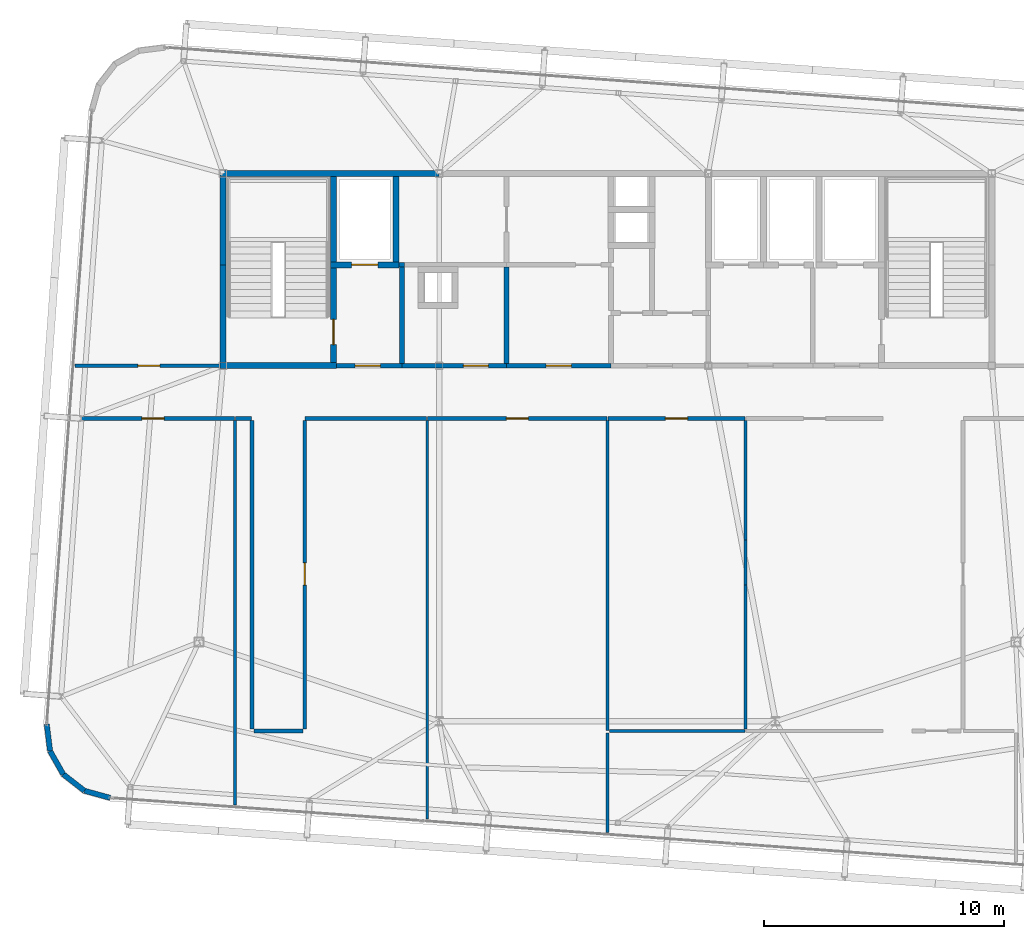
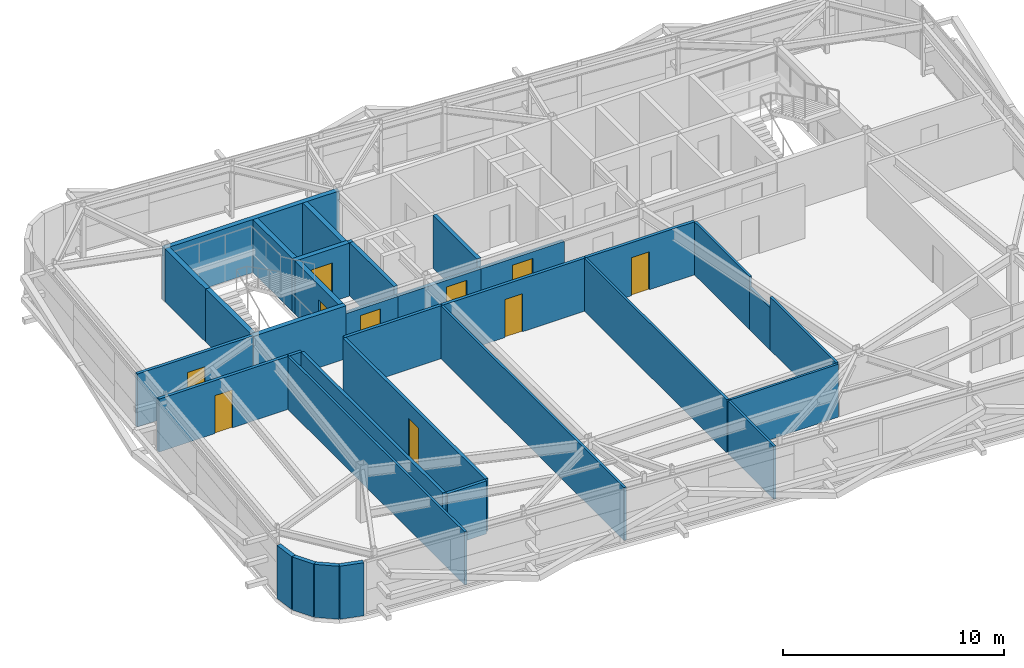
# One storey, part 31 of 34: 35 walls, 10 doors, 10 openings.
"""IFC4 building model written with IfcOpenShell, lengths in metres."""

from ifc_helpers import new_model, si_unit, direction, frame, frame_2d, origin, place, context, subcontext, project, spatial, rectangle, extrude, source, transform, mapped, material, layer, layer_set, type_object, element, fill, save


model = new_model("IFC4")

# Units and contexts
model_context = context("Model", 3, precision=1e-05, world=origin(), true_north=direction((0.0, 1.0)))
body_context = subcontext(model_context, "Body", "Model", "MODEL_VIEW")
ifc_project = project(units=[si_unit("LENGTHUNIT", "METRE"), si_unit("AREAUNIT", "SQUARE_METRE"), si_unit("VOLUMEUNIT", "CUBIC_METRE"), si_unit("PLANEANGLEUNIT", "RADIAN"), si_unit("MASSUNIT", "GRAM", prefix="KILO")], contexts=[model_context])

# Site, building, storey
site_placement = place(None, origin())
site = spatial("IfcSite", under=ifc_project, at=site_placement, CompositionType="ELEMENT")
building_placement = place(site_placement, origin())
building = spatial("IfcBuilding", under=site, at=building_placement, Name="Taldren Reach Tower", CompositionType="ELEMENT")
storey_placement = place(building_placement, frame((0.0, 0.0, 246.050048828125)))
storey = spatial("IfcBuildingStorey", under=building, at=storey_placement, Name="L75", CompositionType="ELEMENT", Elevation=246.050048828125)

# Walls
ifc_material_1 = material(Name="Pale Champagne Anodised Aluminium Cladding", Category="aluminium")
ifc_layer_1 = layer(ifc_material_1, 0.04, Name="Pale Champagne Anodised Aluminium Cladding", Category="aluminium")
ifc_material_2 = material(Name="Mineral Wool Acoustic Insulation", Category="insulation")
ifc_layer_2 = layer(ifc_material_2, 0.06, Name="Mineral Wool Acoustic Insulation", Category="insulation")
ifc_material_3 = material(Name="Steel Gr 350 (C350L0)", Category="steel")
ifc_layer_3 = layer(ifc_material_3, 0.12, Name="Steel Gr 350 (C350L0)", Category="steel")
ifc_layer_set_1 = layer_set([ifc_layer_1, ifc_layer_2, ifc_layer_3], Name="Pale Champagne Aluminium Cladding and Steel Gr 350 Stud Framing")
wall_type_1 = type_object("IfcWallType", Name="EW-CRN-220", PredefinedType="SOLIDWALL", material=ifc_layer_set_1)
shared_shape_1 = source(origin(), body_context, "Body", "SweptSolid", [
    extrude(rectangle(XDim=1.115966796875, YDim=0.219970703125, at=frame_2d((0.55810546875, 0.0))), origin(), (0.0, 0.0, 1.0), 2.929931640625),
])
for number, where, z_axis, x_axis, name in (
    (1, (11.66259765625, 9.072021484375, 0.0), (0.0, 0.0, 1.0), (0.122742076028, -0.992438604032, 0.0), "Rounded-corner pale-metal facade wall L75-SW1"),
    (2, (11.799560546875, 7.964599609375, 0.0), (0.0, 0.0, 1.0), (0.493073284892, -0.869987779067, 0.0), "Rounded-corner pale-metal facade wall L75-SW2"),
    (3, (12.349853515625, 6.99365234375, 0.0), (0.0, 0.0, 1.0), (0.788597772321, -0.614909386406, 0.0), "Rounded-corner pale-metal facade wall L75-SW3"),
):
    element("IfcWall", number, at=place(storey_placement, frame(where, z_axis=z_axis, x_axis=x_axis)), inside=storey, type_object=wall_type_1, Name=name, PredefinedType="SOLIDWALL", context=body_context, shape_type="MappedRepresentation", body=[
        mapped(shared_shape_1, transform((0.0, 0.0, 0.0), scale=1.0)),
    ])
shared_shape_2 = source(origin(), body_context, "Body", "SweptSolid", [
    extrude(rectangle(XDim=1.11572265625, YDim=0.219970703125, at=frame_2d((0.557861328125, 0.0))), origin(), (0.0, 0.0, 1.0), 2.929931640625),
])
wall_1_placement = place(storey_placement, frame((13.22998046875, 6.307373046875, 0.0), z_axis=(0.0, 0.0, 1.0), x_axis=(0.963890028874, -0.266300605026, 0.0)))
element("IfcWall", 4, at=wall_1_placement, inside=storey, type_object=wall_type_1, Name="Rounded-corner pale-metal facade wall L75-SW4", PredefinedType="SOLIDWALL", context=body_context, shape_type="MappedRepresentation", body=[
    mapped(shared_shape_2, transform((0.0, 0.0, 0.0), scale=1.0)),
])

# Wall, opening, door
ifc_material_4 = material(Name="Concrete S50 (50 MPa)", Category="concrete")
ifc_layer_4 = layer(ifc_material_4, 0.199951171875)
ifc_layer_set_2 = layer_set([ifc_layer_4], Name="Concrete S50 (50 MPa)")
wall_type_2 = type_object("IfcWallType", Name="IW-CORE-200", PredefinedType="SOLIDWALL", material=ifc_layer_set_2)
shared_shape_3 = source(origin(), body_context, "Body", "SweptSolid", [
    extrude(rectangle(XDim=4.35009765625, YDim=0.199951171875, at=frame_2d((2.175048828125, 0.0))), origin(), (0.0, 0.0, 1.0), 2.469970703125),
])
wall_2_placement = place(storey_placement, frame((30.800048828125, 24.0, 0.0), z_axis=(0.0, 0.0, 1.0), x_axis=(-1.0, 0.0, 0.0)))
wall_2 = element("IfcWall", 5, at=wall_2_placement, inside=storey, type_object=wall_type_2, Name="Rear Core Shear Wall W-INT-L75-034", PredefinedType="SOLIDWALL", context=body_context, shape_type="MappedRepresentation", body=[
    mapped(shared_shape_3, transform((0.0, 0.0, 0.0), scale=1.0)),
])
shared_shape_4 = source(origin(), body_context, "Body", "SweptSolid", [
    extrude(rectangle(XDim=1.050048828125, YDim=2.10009765625, at=frame_2d((0.52490234375, 1.050048828125))), frame((0.0, 0.10986328125, 0.0), z_axis=(0.0, -1.0, 0.0), x_axis=(1.0, 0.0, 0.0)), (0.0, 0.0, 1.0), 0.219970703125),
])
opening_1_placement = place(wall_2_placement, frame((0.75, 0.0, 0.0)))
opening_1 = element("IfcOpeningElement", 6, at=opening_1_placement, cuts=wall_2, Name="Opening DF-105", PredefinedType="OPENING", context=body_context, shape_type="MappedRepresentation", body=[
    mapped(shared_shape_4, transform((0.0, 0.0, 0.0), scale=1.0)),
])
ifc_material_5 = material(Name="Fire-Rated Care and Stair Exit Door")
door_type_1 = type_object("IfcDoorType", Name="ID-FIRE-105", OperationType="NOTDEFINED", PredefinedType="DOOR", material=ifc_material_5)
shared_shape_5 = source(origin(), body_context, "Body", "SweptSolid", [
    extrude(rectangle(XDim=1.050048828125, YDim=2.10009765625, at=frame_2d((0.52490234375, 1.050048828125))), frame((0.0, 0.02490234375, 0.0), z_axis=(0.0, -1.0, 0.0), x_axis=(1.0, 0.0, 0.0)), (0.0, 0.0, 1.0), 0.050048828125),
])
door_1_placement = place(opening_1_placement, frame((1.050048828125, 0.0, 0.0), z_axis=(0.0, 0.0, 1.0), x_axis=(-1.0, 0.0, 0.0)))
door_1 = element("IfcDoor", 7, at=door_1_placement, inside=storey, type_object=door_type_1, Name="Interior Door DR-L75-006", OperationType="SINGLE_SWING_RIGHT", OverallHeight=2.10009765625, OverallWidth=1.050048828125, PredefinedType="DOOR", context=body_context, shape_type="MappedRepresentation", body=[
    mapped(shared_shape_5, transform((0.0, 0.0, 0.0), scale=1.0)),
])
fill(opening_1, door_1)

# Wall
ifc_material_6 = material(Name="Fire-Rated Acoustic Plasterboard Stud Wall", Category="gypsum")
ifc_layer_5 = layer(ifc_material_6, 0.159912109375)
ifc_layer_set_3 = layer_set([ifc_layer_5], Name="Fire-Rated Acoustic Plasterboard Stud Wall")
wall_type_3 = type_object("IfcWallType", Name="IW-FIRE-160", PredefinedType="PARTITIONING", material=ifc_layer_set_3)
shared_shape_6 = source(origin(), body_context, "Body", "SweptSolid", [
    extrude(rectangle(XDim=2.0400390625, YDim=0.159912109375, at=frame_2d((1.02001953125, 0.0))), origin(), (0.0, 0.0, 1.0), 2.929931640625),
])
wall_3_placement = place(storey_placement, frame((22.320068359375, 8.800048828125, 0.0), z_axis=(0.0, 0.0, 1.0), x_axis=(-1.0, 0.0, 0.0)))
element("IfcWall", 8, at=wall_3_placement, inside=storey, type_object=wall_type_3, Name="Interior Partition Wall W-INT-L75-051", PredefinedType="PARTITIONING", context=body_context, shape_type="MappedRepresentation", body=[
    mapped(shared_shape_6, transform((0.0, 0.0, 0.0), scale=1.0)),
])

# Wall, opening, door
shared_shape_7 = source(origin(), body_context, "Body", "SweptSolid", [
    extrude(rectangle(XDim=4.349853515625, YDim=0.199951171875, at=frame_2d((2.1748046875, 0.0))), origin(), (0.0, 0.0, 1.0), 2.469970703125),
])
wall_4_placement = place(storey_placement, frame((35.14990234375, 24.0, 0.0), z_axis=(0.0, 0.0, 1.0), x_axis=(-1.0, 0.0, 0.0)))
wall_4 = element("IfcWall", 9, at=wall_4_placement, inside=storey, type_object=wall_type_2, Name="Rear Core Shear Wall W-INT-L75-039", PredefinedType="SOLIDWALL", context=body_context, shape_type="MappedRepresentation", body=[
    mapped(shared_shape_7, transform((0.0, 0.0, 0.0), scale=1.0)),
])
opening_2_placement = place(wall_4_placement, frame((1.64990234375, 0.0, 0.0)))
opening_2 = element("IfcOpeningElement", 10, at=opening_2_placement, cuts=wall_4, Name="Opening DF-105", PredefinedType="OPENING", context=body_context, shape_type="MappedRepresentation", body=[
    mapped(shared_shape_4, transform((0.0, 0.0, 0.0), scale=1.0)),
])
door_2_placement = place(opening_2_placement, frame((1.050048828125, 0.0, 0.0), z_axis=(0.0, 0.0, 1.0), x_axis=(-1.0, 0.0, 0.0)))
door_2 = element("IfcDoor", 11, at=door_2_placement, inside=storey, type_object=door_type_1, Name="Interior Door DR-L75-009", OperationType="SINGLE_SWING_LEFT", OverallHeight=2.10009765625, OverallWidth=1.050048828125, PredefinedType="DOOR", context=body_context, shape_type="MappedRepresentation", body=[
    mapped(shared_shape_5, transform((0.0, 0.0, 0.0), scale=1.0)),
])
fill(opening_2, door_2)

# Walls
shared_shape_8 = source(origin(), body_context, "Body", "SweptSolid", [
    extrude(rectangle(XDim=5.0595703125, YDim=0.159912109375, at=frame_2d((2.52978515625, 0.0))), origin(), (0.0, 0.0, 1.0), 2.929931640625),
])
wall_5_placement = place(storey_placement, frame((27.479736328125, 21.800048828125, 0.0), z_axis=(0.0, 0.0, 1.0), x_axis=(-1.0, 0.0, 0.0)))
element("IfcWall", 12, at=wall_5_placement, inside=storey, type_object=wall_type_3, Name="Interior Partition Wall W-INT-L75-050", PredefinedType="PARTITIONING", context=body_context, shape_type="MappedRepresentation", body=[
    mapped(shared_shape_8, transform((0.0, 0.0, 0.0), scale=1.0)),
])
shared_shape_9 = source(origin(), body_context, "Body", "SweptSolid", [
    extrude(rectangle(XDim=4.0, YDim=0.199951171875, at=frame_2d((2.0, 0.0))), origin(), (0.0, 0.0, 1.0), 2.929931640625),
])
for number, where, z_axis, x_axis, name in (
    (13, (26.449951171875, 24.10009765625, 0.0), (0.0, 0.0, 1.0), (0.0, 1.0, 0.0), "Rear Core Shear Wall W-INT-L75-006"),
    (14, (30.800048828125, 28.10009765625, 0.0), (0.0, 0.0, 1.0), (0.0, -1.0, 0.0), "Rear Core Shear Wall W-INT-L75-033"),
):
    element("IfcWall", number, at=place(storey_placement, frame(where, z_axis=z_axis, x_axis=x_axis)), inside=storey, type_object=wall_type_2, Name=name, PredefinedType="SOLIDWALL", context=body_context, shape_type="MappedRepresentation", body=[
        mapped(shared_shape_9, transform((0.0, 0.0, 0.0), scale=1.0)),
    ])

# Wall, opening, door
shared_shape_10 = source(origin(), body_context, "Body", "SweptSolid", [
    extrude(rectangle(XDim=7.45947265625, YDim=0.159912109375, at=frame_2d((3.729736328125, 0.0))), origin(), (0.0, 0.0, 1.0), 2.929931640625),
])
wall_6_placement = place(storey_placement, frame((34.979736328125, 21.800048828125, 0.0), z_axis=(0.0, 0.0, 1.0), x_axis=(-1.0, 0.0, 0.0)))
wall_6 = element("IfcWall", 15, at=wall_6_placement, inside=storey, type_object=wall_type_3, Name="Interior Partition Wall W-INT-L75-053", PredefinedType="PARTITIONING", context=body_context, shape_type="MappedRepresentation", body=[
    mapped(shared_shape_10, transform((0.0, 0.0, 0.0), scale=1.0)),
])
shared_shape_11 = source(origin(), body_context, "Body", "SweptSolid", [
    extrude(rectangle(XDim=0.919921875, YDim=2.10009765625, at=frame_2d((0.4599609375, 1.050048828125))), frame((0.0, 0.08984375, 0.0), z_axis=(0.0, -1.0, 0.0), x_axis=(1.0, 0.0, 0.0)), (0.0, 0.0, 1.0), 0.179931640625),
])
opening_3_placement = place(wall_6_placement, frame((3.269775390625, 0.0, 0.0)))
opening_3 = element("IfcOpeningElement", 16, at=opening_3_placement, cuts=wall_6, Name="Opening DI-092", PredefinedType="OPENING", context=body_context, shape_type="MappedRepresentation", body=[
    mapped(shared_shape_11, transform((0.0, 0.0, 0.0), scale=1.0)),
])
ifc_material_7 = material(Name="Solid-Core Timber Suite Door", Category="wood")
door_type_2 = type_object("IfcDoorType", Name="ID-INT-092", OperationType="NOTDEFINED", PredefinedType="DOOR", material=ifc_material_7)
shared_shape_12 = source(origin(), body_context, "Body", "SweptSolid", [
    extrude(rectangle(XDim=0.919921875, YDim=2.10009765625, at=frame_2d((0.4599609375, 1.050048828125))), frame((0.0, 0.02490234375, 0.0), z_axis=(0.0, -1.0, 0.0), x_axis=(1.0, 0.0, 0.0)), (0.0, 0.0, 1.0), 0.050048828125),
])
door_3_placement = place(opening_3_placement, origin())
door_3 = element("IfcDoor", 17, at=door_3_placement, inside=storey, type_object=door_type_2, Name="Interior Door DR-L75-017", OperationType="SINGLE_SWING_RIGHT", OverallHeight=2.10009765625, OverallWidth=0.919921875, PredefinedType="DOOR", context=body_context, shape_type="MappedRepresentation", body=[
    mapped(shared_shape_12, transform((0.0, 0.0, 0.0), scale=1.0)),
])
fill(opening_3, door_3)

# Walls
ifc_material_8 = material(Name="Insulated Residential Stud Partition", Category="gypsum")
ifc_layer_6 = layer(ifc_material_8, 0.1201171875)
ifc_layer_set_4 = layer_set([ifc_layer_6], Name="Insulated Residential Stud Partition")
wall_type_4 = type_object("IfcWallType", Name="IW-PART-120", PredefinedType="PARTITIONING", material=ifc_layer_set_4)
shared_shape_13 = source(origin(), body_context, "Body", "SweptSolid", [
    extrude(rectangle(XDim=4.982421875, YDim=0.1201171875, at=frame_2d((2.4912109375, 0.0))), origin(), (0.0, 0.0, 1.0), 2.929931640625),
])
wall_7_placement = place(storey_placement, frame((40.75, 21.719970703125, 0.0), z_axis=(0.0, 0.0, 1.0), x_axis=(0.0, -1.0, 0.0)))
element("IfcWall", 18, at=wall_7_placement, inside=storey, type_object=wall_type_4, Name="Interior Partition Wall W-INT-L75-067", PredefinedType="PARTITIONING", context=body_context, shape_type="MappedRepresentation", body=[
    mapped(shared_shape_13, transform((0.0, 0.0, 0.0), scale=1.0)),
])
shared_shape_14 = source(origin(), body_context, "Body", "SweptSolid", [
    extrude(rectangle(XDim=1.86083984375, YDim=0.1201171875, at=frame_2d((0.930419921875, 0.0))), origin(), (0.0, 0.0, 1.0), 2.327880859375),
])
wall_8_placement = place(storey_placement, frame((40.75, 16.737548828125, 0.0), z_axis=(0.0, 0.0, 1.0), x_axis=(0.0, -1.0, 0.0)))
element("IfcWall", 19, at=wall_8_placement, inside=storey, type_object=wall_type_4, Name="Interior Partition Wall W-INT-L75-067 part 2", PredefinedType="PARTITIONING", context=body_context, shape_type="MappedRepresentation", body=[
    mapped(shared_shape_14, transform((0.0, 0.0, 0.0), scale=1.0)),
])
ifc_material_9 = material(Name="Concrete S65 (65 MPa)", Category="concrete")
ifc_layer_7 = layer(ifc_material_9, 0.25)
ifc_layer_set_5 = layer_set([ifc_layer_7], Name="Concrete S65 (65 MPa)")
wall_type_5 = type_object("IfcWallType", Name="IW-CORE-250", PredefinedType="SHEAR", material=ifc_layer_set_5)
shared_shape_15 = source(origin(), body_context, "Body", "SweptSolid", [
    extrude(rectangle(XDim=9.125, YDim=0.25, at=frame_2d((4.5625, 0.0))), origin(), (0.0, 0.0, 1.0), 2.929931640625),
])
wall_9_placement = place(storey_placement, frame((18.875, 32.0, 0.0), z_axis=(0.0, 0.0, 1.0), x_axis=(1.0, 0.0, 0.0)))
element("IfcWall", 20, at=wall_9_placement, inside=storey, type_object=wall_type_5, Name="Rear Core Shear Wall W-CORE-L75-NORTH1", PredefinedType="SHEAR", context=body_context, shape_type="MappedRepresentation", body=[
    mapped(shared_shape_15, transform((0.0, 0.0, 0.0), scale=1.0)),
])
shared_shape_16 = source(origin(), body_context, "Body", "SweptSolid", [
    extrude(rectangle(XDim=4.074951171875, YDim=0.25, at=frame_2d((2.03759765625, 0.0))), origin(), (0.0, 0.0, 1.0), 2.929931640625),
])
wall_10_placement = place(storey_placement, frame((19.0, 24.125, 0.0), z_axis=(0.0, 0.0, 1.0), x_axis=(0.0, 1.0, 0.0)))
element("IfcWall", 21, at=wall_10_placement, inside=storey, type_object=wall_type_5, Name="Rear Core Shear Wall W-CORE-L75-WEST1", PredefinedType="SHEAR", context=body_context, shape_type="MappedRepresentation", body=[
    mapped(shared_shape_16, transform((0.0, 0.0, 0.0), scale=1.0)),
])
shared_shape_17 = source(origin(), body_context, "Body", "SweptSolid", [
    extrude(rectangle(XDim=3.675048828125, YDim=0.25, at=frame_2d((1.83740234375, 0.0))), origin(), (0.0, 0.0, 1.0), 2.929931640625),
])
wall_11_placement = place(storey_placement, frame((19.0, 28.199951171875, 0.0), z_axis=(0.0, 0.0, 1.0), x_axis=(0.0, 1.0, 0.0)))
element("IfcWall", 22, at=wall_11_placement, inside=storey, type_object=wall_type_5, Name="Rear Core Shear Wall W-CORE-L75-WEST2", PredefinedType="SHEAR", context=body_context, shape_type="MappedRepresentation", body=[
    mapped(shared_shape_17, transform((0.0, 0.0, 0.0), scale=1.0)),
])
shared_shape_18 = source(origin(), body_context, "Body", "SweptSolid", [
    extrude(rectangle(XDim=3.550048828125, YDim=0.25, at=frame_2d((1.77490234375, 0.0))), origin(), (0.0, 0.0, 1.0), 2.929931640625),
])
for number, where, z_axis, x_axis, name in (
    (23, (23.60009765625, 28.324951171875, 0.0), (0.0, 0.0, 1.0), (0.0, 1.0, 0.0), "Rear Core Shear Wall W-INT-L75-001"),
    (24, (26.199951171875, 28.324951171875, 0.0), (0.0, 0.0, 1.0), (0.0, 1.0, 0.0), "Rear Core Shear Wall W-INT-L75-005"),
):
    element("IfcWall", number, at=place(storey_placement, frame(where, z_axis=z_axis, x_axis=x_axis)), inside=storey, type_object=wall_type_5, Name=name, PredefinedType="SHEAR", context=body_context, shape_type="MappedRepresentation", body=[
        mapped(shared_shape_18, transform((0.0, 0.0, 0.0), scale=1.0)),
    ])

# Wall, opening, door
shared_shape_19 = source(origin(), body_context, "Body", "SweptSolid", [
    extrude(rectangle(XDim=3.949951171875, YDim=0.25, at=frame_2d((1.97509765625, 0.0))), origin(), (0.0, 0.0, 1.0), 2.929931640625),
])
wall_12_placement = place(storey_placement, frame((23.60009765625, 24.125, 0.0), z_axis=(0.0, 0.0, 1.0), x_axis=(0.0, 1.0, 0.0)))
wall_12 = element("IfcWall", 25, at=wall_12_placement, inside=storey, type_object=wall_type_5, Name="Rear Core Shear Wall W-INT-L75-002", PredefinedType="SHEAR", context=body_context, shape_type="MappedRepresentation", body=[
    mapped(shared_shape_19, transform((0.0, 0.0, 0.0), scale=1.0)),
])
shared_shape_20 = source(origin(), body_context, "Body", "SweptSolid", [
    extrude(rectangle(XDim=1.050048828125, YDim=2.10009765625, at=frame_2d((0.52490234375, 1.050048828125))), frame((0.0, 0.135009765625, 0.0), z_axis=(0.0, -1.0, 0.0), x_axis=(1.0, 0.0, 0.0)), (0.0, 0.0, 1.0), 0.27001953125),
])
opening_4_placement = place(wall_12_placement, frame((0.75, 0.0, 0.0)))
opening_4 = element("IfcOpeningElement", 26, at=opening_4_placement, cuts=wall_12, Name="Opening DF-105", PredefinedType="OPENING", context=body_context, shape_type="MappedRepresentation", body=[
    mapped(shared_shape_20, transform((0.0, 0.0, 0.0), scale=1.0)),
])
door_4_placement = place(opening_4_placement, origin())
door_4 = element("IfcDoor", 27, at=door_4_placement, inside=storey, type_object=door_type_1, Name="Fire Exit Stair Door DR-L75-001", OperationType="SINGLE_SWING_LEFT", OverallHeight=2.10009765625, OverallWidth=1.050048828125, PredefinedType="DOOR", context=body_context, shape_type="MappedRepresentation", body=[
    mapped(shared_shape_5, transform((0.0, 0.0, 0.0), scale=1.0)),
])
fill(opening_4, door_4)

# Wall
shared_shape_21 = source(origin(), body_context, "Body", "SweptSolid", [
    extrude(rectangle(XDim=4.85009765625, YDim=0.25, at=frame_2d((2.425048828125, 0.0))), origin(), (0.0, 0.0, 1.0), 2.929931640625),
])
wall_13_placement = place(storey_placement, frame((18.875, 24.0, 0.0), z_axis=(0.0, 0.0, 1.0), x_axis=(1.0, 0.0, 0.0)))
element("IfcWall", 28, at=wall_13_placement, inside=storey, type_object=wall_type_5, Name="Rear Core Shear Wall W-INT-L75-003", PredefinedType="SHEAR", context=body_context, shape_type="MappedRepresentation", body=[
    mapped(shared_shape_21, transform((0.0, 0.0, 0.0), scale=1.0)),
])

# Wall, opening, door
shared_shape_22 = source(origin(), body_context, "Body", "SweptSolid", [
    extrude(rectangle(XDim=2.849853515625, YDim=0.25, at=frame_2d((1.4248046875, 0.0))), origin(), (0.0, 0.0, 1.0), 2.929931640625),
])
wall_14_placement = place(storey_placement, frame((23.47509765625, 28.199951171875, 0.0), z_axis=(0.0, 0.0, 1.0), x_axis=(1.0, 0.0, 0.0)))
wall_14 = element("IfcWall", 29, at=wall_14_placement, inside=storey, type_object=wall_type_5, Name="Rear Core Shear Wall W-INT-L75-004", PredefinedType="SHEAR", context=body_context, shape_type="MappedRepresentation", body=[
    mapped(shared_shape_22, transform((0.0, 0.0, 0.0), scale=1.0)),
])
shared_shape_23 = source(origin(), body_context, "Body", "SweptSolid", [
    extrude(rectangle(XDim=1.10009765625, YDim=2.14990234375, at=frame_2d((0.550048828125, 1.074951171875))), frame((0.0, 0.135009765625, 0.0), z_axis=(0.0, -1.0, 0.0), x_axis=(1.0, 0.0, 0.0)), (0.0, 0.0, 1.0), 0.27001953125),
])
opening_5_placement = place(wall_14_placement, frame((0.875, 0.0, 0.0)))
opening_5 = element("IfcOpeningElement", 30, at=opening_5_placement, cuts=wall_14, Name="Opening LD-FL1", PredefinedType="OPENING", context=body_context, shape_type="MappedRepresentation", body=[
    mapped(shared_shape_23, transform((0.0, 0.0, 0.0), scale=1.0)),
])
ifc_material_10 = material(Name="Stainless Steel Gr 316 Emergency Lift Landing Door", Category="steel")
door_type_3 = type_object("IfcDoorType", Name="LD-EMG-110", OperationType="SLIDING_TO_LEFT", PredefinedType="DOOR", material=ifc_material_10)
shared_shape_24 = source(origin(), body_context, "Body", "SweptSolid", [
    extrude(rectangle(XDim=1.10009765625, YDim=2.14990234375, at=frame_2d((0.550048828125, 1.074951171875))), frame((0.0, 0.02490234375, 0.0), z_axis=(0.0, -1.0, 0.0), x_axis=(1.0, 0.0, 0.0)), (0.0, 0.0, 1.0), 0.050048828125),
])
door_5_placement = place(opening_5_placement, origin())
door_5 = element("IfcDoor", 31, at=door_5_placement, inside=storey, type_object=door_type_3, Name="Lift Landing Door LD-FL1-L75", OperationType="SLIDING_TO_LEFT", OverallHeight=2.14990234375, OverallWidth=1.10009765625, PredefinedType="DOOR", context=body_context, shape_type="MappedRepresentation", body=[
    mapped(shared_shape_24, transform((0.0, 0.0, 0.0), scale=1.0)),
])
fill(opening_5, door_5)

shared_shape_25 = source(origin(), body_context, "Body", "SweptSolid", [
    extrude(rectangle(XDim=2.724853515625, YDim=0.199951171875, at=frame_2d((1.3623046875, 0.0))), origin(), (0.0, 0.0, 1.0), 2.469970703125),
])
wall_15_placement = place(storey_placement, frame((23.72509765625, 24.0, 0.0), z_axis=(0.0, 0.0, 1.0), x_axis=(1.0, 0.0, 0.0)))
wall_15 = element("IfcWall", 32, at=wall_15_placement, inside=storey, type_object=wall_type_2, Name="Rear Core Shear Wall W-INT-L75-007", PredefinedType="SOLIDWALL", context=body_context, shape_type="MappedRepresentation", body=[
    mapped(shared_shape_25, transform((0.0, 0.0, 0.0), scale=1.0)),
])
opening_6_placement = place(wall_15_placement, frame((0.77490234375, 0.0, 0.0)))
opening_6 = element("IfcOpeningElement", 33, at=opening_6_placement, cuts=wall_15, Name="Opening DF-105", PredefinedType="OPENING", context=body_context, shape_type="MappedRepresentation", body=[
    mapped(shared_shape_4, transform((0.0, 0.0, 0.0), scale=1.0)),
])
door_6_placement = place(opening_6_placement, origin())
door_6 = element("IfcDoor", 34, at=door_6_placement, inside=storey, type_object=door_type_1, Name="Interior Door DR-L75-002", OperationType="SINGLE_SWING_LEFT", OverallHeight=2.10009765625, OverallWidth=1.050048828125, PredefinedType="DOOR", context=body_context, shape_type="MappedRepresentation", body=[
    mapped(shared_shape_5, transform((0.0, 0.0, 0.0), scale=1.0)),
])
fill(opening_6, door_6)

# Wall
shared_shape_26 = source(origin(), body_context, "Body", "SweptSolid", [
    extrude(rectangle(XDim=12.840087890625, YDim=0.159912109375, at=frame_2d((6.419921875, 0.0))), origin(), (0.0, 0.0, 1.0), 2.929931640625),
])
wall_16_placement = place(storey_placement, frame((20.199951171875, 8.8798828125, 0.0), z_axis=(0.0, 0.0, 1.0), x_axis=(0.0, 1.0, 0.0)))
element("IfcWall", 35, at=wall_16_placement, inside=storey, type_object=wall_type_3, Name="Interior Partition Wall W-INT-L75-048", PredefinedType="PARTITIONING", context=body_context, shape_type="MappedRepresentation", body=[
    mapped(shared_shape_26, transform((0.0, 0.0, 0.0), scale=1.0)),
])

# Wall, opening, door
wall_17_placement = place(storey_placement, frame((22.39990234375, 21.719970703125, 0.0), z_axis=(0.0, 0.0, 1.0), x_axis=(0.0, -1.0, 0.0)))
wall_17 = element("IfcWall", 36, at=wall_17_placement, inside=storey, type_object=wall_type_3, Name="Interior Partition Wall W-INT-L75-049", PredefinedType="PARTITIONING", context=body_context, shape_type="MappedRepresentation", body=[
    mapped(shared_shape_26, transform((0.0, 0.0, 0.0), scale=1.0)),
])
opening_7_placement = place(wall_17_placement, frame((5.93017578125, 0.0, 0.0)))
opening_7 = element("IfcOpeningElement", 37, at=opening_7_placement, cuts=wall_17, Name="Opening DI-092", PredefinedType="OPENING", context=body_context, shape_type="MappedRepresentation", body=[
    mapped(shared_shape_11, transform((0.0, 0.0, 0.0), scale=1.0)),
])
door_7_placement = place(opening_7_placement, origin())
door_7 = element("IfcDoor", 38, at=door_7_placement, inside=storey, type_object=door_type_2, Name="Interior Door DR-L75-016", OperationType="SINGLE_SWING_LEFT", OverallHeight=2.10009765625, OverallWidth=0.919921875, PredefinedType="DOOR", context=body_context, shape_type="MappedRepresentation", body=[
    mapped(shared_shape_12, transform((0.0, 0.0, 0.0), scale=1.0)),
])
fill(opening_7, door_7)

# Wall
shared_shape_27 = source(origin(), body_context, "Body", "SweptSolid", [
    extrude(rectangle(XDim=0.22509765625, YDim=0.199951171875, at=frame_2d((0.112548828125, 0.0))), origin(), (0.0, 0.0, 1.0), 2.929931640625),
])
wall_18_placement = place(storey_placement, frame((26.324951171875, 28.199951171875, 0.0), z_axis=(0.0, 0.0, 1.0), x_axis=(1.0, 0.0, 0.0)))
element("IfcWall", 39, at=wall_18_placement, inside=storey, type_object=wall_type_2, Name="Rear Core Partition Wall W-INT-L75-068", PredefinedType="SOLIDWALL", context=body_context, shape_type="MappedRepresentation", body=[
    mapped(shared_shape_27, transform((0.0, 0.0, 0.0), scale=1.0)),
])

# Wall, opening, door
shared_shape_28 = source(origin(), body_context, "Body", "SweptSolid", [
    extrude(rectangle(XDim=6.03173828125, YDim=0.159912109375, at=frame_2d((3.015869140625, 0.0))), origin(), (0.0, 0.0, 1.0), 2.929931640625),
])
wall_19_placement = place(storey_placement, frame((12.84326171875, 24.0, 0.0), z_axis=(0.0, 0.0, 1.0), x_axis=(1.0, 0.0, 0.0)))
wall_19 = element("IfcWall", 40, at=wall_19_placement, inside=storey, type_object=wall_type_3, Name="Interior Partition Wall W-INT-L75-046", PredefinedType="PARTITIONING", context=body_context, shape_type="MappedRepresentation", body=[
    mapped(shared_shape_28, transform((0.0, 0.0, 0.0), scale=1.0)),
])
opening_8_placement = place(wall_19_placement, frame((2.6083984375, 0.0, 0.0)))
opening_8 = element("IfcOpeningElement", 41, at=opening_8_placement, cuts=wall_19, Name="Opening DI-092", PredefinedType="OPENING", context=body_context, shape_type="MappedRepresentation", body=[
    mapped(shared_shape_11, transform((0.0, 0.0, 0.0), scale=1.0)),
])
door_8_placement = place(opening_8_placement, origin())
door_8 = element("IfcDoor", 42, at=door_8_placement, inside=storey, type_object=door_type_2, Name="Interior Door DR-L75-014", OperationType="SINGLE_SWING_LEFT", OverallHeight=2.10009765625, OverallWidth=0.919921875, PredefinedType="DOOR", context=body_context, shape_type="MappedRepresentation", body=[
    mapped(shared_shape_12, transform((0.0, 0.0, 0.0), scale=1.0)),
])
fill(opening_8, door_8)

shared_shape_29 = source(origin(), body_context, "Body", "SweptSolid", [
    extrude(rectangle(XDim=6.786376953125, YDim=0.159912109375, at=frame_2d((3.39306640625, 0.0))), origin(), (0.0, 0.0, 1.0), 2.929931640625),
])
wall_20_placement = place(storey_placement, frame((19.479736328125, 21.800048828125, 0.0), z_axis=(0.0, 0.0, 1.0), x_axis=(-1.0, 0.0, 0.0)))
wall_20 = element("IfcWall", 43, at=wall_20_placement, inside=storey, type_object=wall_type_3, Name="Interior Partition Wall W-INT-L75-047", PredefinedType="PARTITIONING", context=body_context, shape_type="MappedRepresentation", body=[
    mapped(shared_shape_29, transform((0.0, 0.0, 0.0), scale=1.0)),
])
opening_9_placement = place(wall_20_placement, frame((2.93310546875, 0.0, 0.0)))
opening_9 = element("IfcOpeningElement", 44, at=opening_9_placement, cuts=wall_20, Name="Opening DI-092", PredefinedType="OPENING", context=body_context, shape_type="MappedRepresentation", body=[
    mapped(shared_shape_11, transform((0.0, 0.0, 0.0), scale=1.0)),
])
door_9_placement = place(opening_9_placement, origin())
door_9 = element("IfcDoor", 45, at=door_9_placement, inside=storey, type_object=door_type_2, Name="Interior Door DR-L75-015", OperationType="SINGLE_SWING_RIGHT", OverallHeight=2.10009765625, OverallWidth=0.919921875, PredefinedType="DOOR", context=body_context, shape_type="MappedRepresentation", body=[
    mapped(shared_shape_12, transform((0.0, 0.0, 0.0), scale=1.0)),
])
fill(opening_9, door_9)

# Wall
shared_shape_30 = source(origin(), body_context, "Body", "SweptSolid", [
    extrude(rectangle(XDim=0.659423828125, YDim=0.159912109375, at=frame_2d((0.32958984375, 0.0))), origin(), (0.0, 0.0, 1.0), 2.929931640625),
])
wall_21_placement = place(storey_placement, frame((20.1796875, 21.800048828125, 0.0), z_axis=(0.0, 0.0, 1.0), x_axis=(-1.0, 0.0, 0.0)))
element("IfcWall", 46, at=wall_21_placement, inside=storey, type_object=wall_type_3, Name="Interior Partition Wall W-INT-L75-052", PredefinedType="PARTITIONING", context=body_context, shape_type="MappedRepresentation", body=[
    mapped(shared_shape_30, transform((0.0, 0.0, 0.0), scale=1.0)),
])

# Wall, opening, door
shared_shape_31 = source(origin(), body_context, "Body", "SweptSolid", [
    extrude(rectangle(XDim=5.70947265625, YDim=0.159912109375, at=frame_2d((2.854736328125, 0.0))), origin(), (0.0, 0.0, 1.0), 2.929931640625),
])
wall_22_placement = place(storey_placement, frame((40.729736328125, 21.800048828125, 0.0), z_axis=(0.0, 0.0, 1.0), x_axis=(-1.0, 0.0, 0.0)))
wall_22 = element("IfcWall", 47, at=wall_22_placement, inside=storey, type_object=wall_type_3, Name="Interior Partition Wall W-INT-L75-055", PredefinedType="PARTITIONING", context=body_context, shape_type="MappedRepresentation", body=[
    mapped(shared_shape_31, transform((0.0, 0.0, 0.0), scale=1.0)),
])
opening_10_placement = place(wall_22_placement, frame((2.394775390625, 0.0, 0.0)))
opening_10 = element("IfcOpeningElement", 48, at=opening_10_placement, cuts=wall_22, Name="Opening DI-092", PredefinedType="OPENING", context=body_context, shape_type="MappedRepresentation", body=[
    mapped(shared_shape_11, transform((0.0, 0.0, 0.0), scale=1.0)),
])
door_10_placement = place(opening_10_placement, origin())
door_10 = element("IfcDoor", 49, at=door_10_placement, inside=storey, type_object=door_type_2, Name="Interior Door DR-L75-019", OperationType="SINGLE_SWING_RIGHT", OverallHeight=2.10009765625, OverallWidth=0.919921875, PredefinedType="DOOR", context=body_context, shape_type="MappedRepresentation", body=[
    mapped(shared_shape_12, transform((0.0, 0.0, 0.0), scale=1.0)),
])
fill(opening_10, door_10)

# Walls
shared_shape_32 = source(origin(), body_context, "Body", "SweptSolid", [
    extrude(rectangle(XDim=4.14501953125, YDim=0.1201171875, at=frame_2d((2.072509765625, 0.0))), origin(), (0.0, 0.0, 1.0), 2.929931640625),
])
wall_23_placement = place(storey_placement, frame((35.0, 4.574951171875, 0.0), z_axis=(0.0, 0.0, 1.0), x_axis=(0.0, 1.0, 0.0)))
element("IfcWall", 50, at=wall_23_placement, inside=storey, type_object=wall_type_4, Name="Interior Partition Wall W-INT-L75-059", PredefinedType="PARTITIONING", context=body_context, shape_type="MappedRepresentation", body=[
    mapped(shared_shape_32, transform((0.0, 0.0, 0.0), scale=1.0)),
])
shared_shape_33 = source(origin(), body_context, "Body", "SweptSolid", [
    extrude(rectangle(XDim=5.649658203125, YDim=0.1201171875, at=frame_2d((2.82470703125, 0.0))), origin(), (0.0, 0.0, 1.0), 2.929931640625),
])
wall_24_placement = place(storey_placement, frame((35.080078125, 8.800048828125, 0.0), z_axis=(0.0, 0.0, 1.0), x_axis=(1.0, 0.0, 0.0)))
element("IfcWall", 51, at=wall_24_placement, inside=storey, type_object=wall_type_4, Name="Interior Partition Wall W-INT-L75-060", PredefinedType="PARTITIONING", context=body_context, shape_type="MappedRepresentation", body=[
    mapped(shared_shape_33, transform((0.0, 0.0, 0.0), scale=1.0)),
])
shared_shape_34 = source(origin(), body_context, "Body", "SweptSolid", [
    extrude(rectangle(XDim=15.9951171875, YDim=0.1201171875, at=frame_2d((7.99755859375, 0.0))), origin(), (0.0, 0.0, 1.0), 2.929931640625),
])
wall_25_placement = place(storey_placement, frame((19.5, 21.719970703125, 0.0), z_axis=(0.0, 0.0, 1.0), x_axis=(0.0, -1.0, 0.0)))
element("IfcWall", 52, at=wall_25_placement, inside=storey, type_object=wall_type_4, Name="Interior Partition Wall W-INT-L75-064", PredefinedType="PARTITIONING", context=body_context, shape_type="MappedRepresentation", body=[
    mapped(shared_shape_34, transform((0.0, 0.0, 0.0), scale=1.0)),
])
shared_shape_35 = source(origin(), body_context, "Body", "SweptSolid", [
    extrude(rectangle(XDim=16.58251953125, YDim=0.1201171875, at=frame_2d((8.291259765625, 0.0))), origin(), (0.0, 0.0, 1.0), 2.929931640625),
])
wall_26_placement = place(storey_placement, frame((27.5, 21.719970703125, 0.0), z_axis=(0.0, 0.0, 1.0), x_axis=(0.0, -1.0, 0.0)))
element("IfcWall", 53, at=wall_26_placement, inside=storey, type_object=wall_type_4, Name="Interior Partition Wall W-INT-L75-065", PredefinedType="PARTITIONING", context=body_context, shape_type="MappedRepresentation", body=[
    mapped(shared_shape_35, transform((0.0, 0.0, 0.0), scale=1.0)),
])
shared_shape_36 = source(origin(), body_context, "Body", "SweptSolid", [
    extrude(rectangle(XDim=12.899658203125, YDim=0.1201171875, at=frame_2d((6.44970703125, 0.0))), origin(), (0.0, 0.0, 1.0), 2.929931640625),
])
wall_27_placement = place(storey_placement, frame((35.0, 21.719970703125, 0.0), z_axis=(0.0, 0.0, 1.0), x_axis=(0.0, -1.0, 0.0)))
element("IfcWall", 54, at=wall_27_placement, inside=storey, type_object=wall_type_4, Name="Interior Partition Wall W-INT-L75-066", PredefinedType="PARTITIONING", context=body_context, shape_type="MappedRepresentation", body=[
    mapped(shared_shape_36, transform((0.0, 0.0, 0.0), scale=1.0)),
])
shared_shape_37 = source(origin(), body_context, "Body", "SweptSolid", [
    extrude(rectangle(XDim=5.996826171875, YDim=0.1201171875, at=frame_2d((2.99853515625, 0.0))), origin(), (0.0, 0.0, 1.0), 2.929931640625),
])
wall_28_placement = place(storey_placement, frame((40.75, 14.876708984375, 0.0), z_axis=(0.0, 0.0, 1.0), x_axis=(0.0, -1.0, 0.0)))
element("IfcWall", 55, at=wall_28_placement, inside=storey, type_object=wall_type_4, Name="Interior Partition Wall W-INT-L75-067 part 3", PredefinedType="PARTITIONING", context=body_context, shape_type="MappedRepresentation", body=[
    mapped(shared_shape_37, transform((0.0, 0.0, 0.0), scale=1.0)),
])

save(model, "model.ifc")
